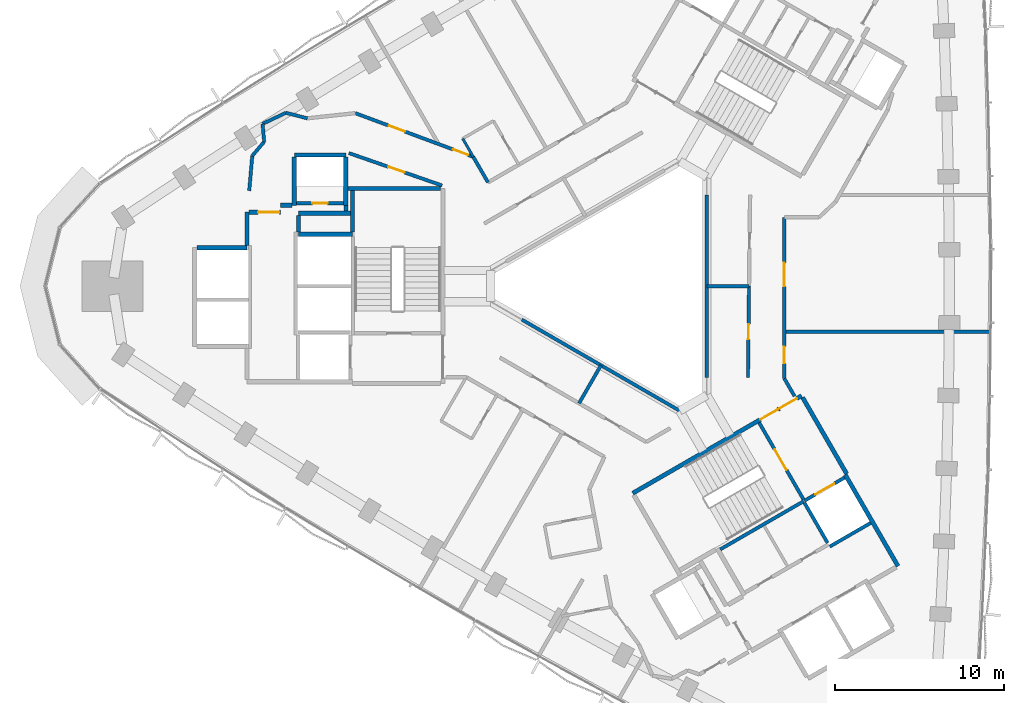
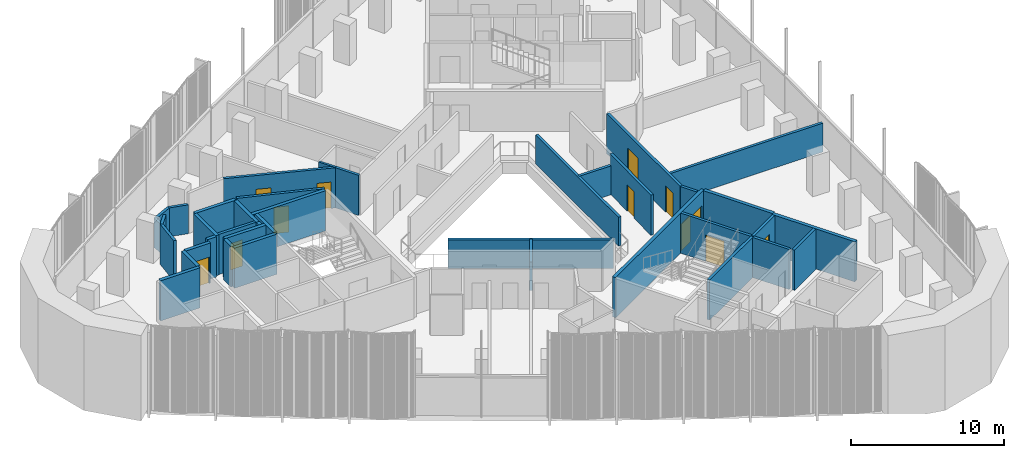
# One storey, part 9 of 14: 39 walls, 12 doors, 12 openings.
"""IFC4 building model written with IfcOpenShell, lengths in metres."""

from ifc_helpers import new_model, si_unit, direction, frame, frame_2d, origin, place, context, subcontext, project, spatial, rectangle, extrude, material, layer, layer_set, type_object, element, fill, save


model = new_model("IFC4")

# Units and contexts
model_context = context("Model", 3, precision=1e-05, world=origin(), true_north=direction((0.0, 1.0)))
body_context = subcontext(model_context, "Body", "Model", "MODEL_VIEW")
ifc_project = project(units=[si_unit("LENGTHUNIT", "METRE"), si_unit("AREAUNIT", "SQUARE_METRE"), si_unit("VOLUMEUNIT", "CUBIC_METRE"), si_unit("PLANEANGLEUNIT", "RADIAN"), si_unit("MASSUNIT", "GRAM", prefix="KILO")], contexts=[model_context])

# Site, building, storey
site_placement = place(None, origin())
site = spatial("IfcSite", under=ifc_project, at=site_placement, CompositionType="ELEMENT")
building_placement = place(site_placement, origin())
building = spatial("IfcBuilding", under=site, at=building_placement, Name="Tamra Quay Hotel Tower", CompositionType="ELEMENT")
storey_placement = place(building_placement, frame((0.0, 0.0, 139.60009765625)))
storey = spatial("IfcBuildingStorey", under=building, at=storey_placement, Name="L34", CompositionType="ELEMENT", Elevation=139.60009765625)

# Wall, opening, door
ifc_material_1 = material(Name="Concrete M70", Category="concrete")
ifc_layer_1 = layer(ifc_material_1, 0.199951171875)
ifc_layer_set_1 = layer_set([ifc_layer_1], Name="Concrete M70 core wall 200")
wall_type_1 = type_object("IfcWallType", Name="Concrete M70 core wall 200", PredefinedType="SHEAR", material=ifc_layer_set_1)
wall_1_placement = place(storey_placement, frame((-19.51123046875, 4.91015625, 0.0), z_axis=(0.0, 0.0, 1.0), x_axis=(1.0, 0.0, 0.0)))
wall_1 = element("IfcWall", 1, at=wall_1_placement, inside=storey, type_object=wall_type_1, Name="CW2", PredefinedType="SHEAR", context=body_context, shape_type="SweptSolid", body=[
    extrude(rectangle(XDim=2.7978515625, YDim=0.199951171875, at=frame_2d((1.39892578125, 0.0))), origin(), (0.0, 0.0, 1.0), 3.199951171875),
])
opening_1_placement = place(wall_1_placement, frame((0.948974609375, 0.0, 0.0)))
opening_1 = element("IfcOpeningElement", 2, at=opening_1_placement, cuts=wall_1, Name="Opening D1", PredefinedType="OPENING", context=body_context, shape_type="SweptSolid", body=[
    extrude(rectangle(XDim=0.89990234375, YDim=2.10009765625, at=frame_2d((0.449951171875, 1.050048828125))), frame((0.0, 0.10986328125, 0.0), z_axis=(0.0, -1.0, 0.0), x_axis=(1.0, 0.0, 0.0)), (0.0, 0.0, 1.0), 0.219970703125),
])
ifc_material_2 = material(Name="Core door D1 900x2100 LH")
door_type_1 = type_object("IfcDoorType", Name="Core door D1 900x2100 LH", OperationType="NOTDEFINED", PredefinedType="DOOR", material=ifc_material_2)
door_1_placement = place(opening_1_placement, origin())
door_1 = element("IfcDoor", 3, at=door_1_placement, inside=storey, type_object=door_type_1, Name="D1", OperationType="SINGLE_SWING_LEFT", OverallHeight=2.10009765625, OverallWidth=0.89990234375, PredefinedType="DOOR", context=body_context, shape_type="SweptSolid", body=[
    extrude(rectangle(XDim=0.89990234375, YDim=2.10009765625, at=frame_2d((0.449951171875, 1.050048828125))), frame((0.0, 0.02490234375, 0.0), z_axis=(0.0, -1.0, 0.0), x_axis=(1.0, 0.0, 0.0)), (0.0, 0.0, 1.0), 0.050048828125),
])
fill(opening_1, door_1)

# Wall
wall_2_placement = place(storey_placement, frame((10.537841796875, -12.751953125, 0.0), z_axis=(0.0, 0.0, 1.0), x_axis=(-0.866038630372, -0.499977090179, 0.0)))
element("IfcWall", 4, at=wall_2_placement, inside=storey, type_object=wall_type_1, Name="CW2", PredefinedType="SHEAR", context=body_context, shape_type="SweptSolid", body=[
    extrude(rectangle(XDim=5.698974609375, YDim=0.199951171875, at=frame_2d((2.849609375, 0.0))), origin(), (0.0, 0.0, 1.0), 3.199951171875),
])

# Wall, opening, door
wall_3_placement = place(storey_placement, frame((7.906494140625, -8.094482421875, 0.0), z_axis=(0.0, 0.0, 1.0), x_axis=(0.500024287448, -0.866011380966, 0.0)))
wall_3 = element("IfcWall", 5, at=wall_3_placement, inside=storey, type_object=wall_type_1, Name="CW2", PredefinedType="SHEAR", context=body_context, shape_type="SweptSolid", body=[
    extrude(rectangle(XDim=5.251220703125, YDim=0.199951171875, at=frame_2d((2.62548828125, 0.0))), origin(), (0.0, 0.0, 1.0), 3.199951171875),
])
opening_2_placement = place(wall_3_placement, frame((1.84912109375, 0.0, 0.0)))
opening_2 = element("IfcOpeningElement", 6, at=opening_2_placement, cuts=wall_3, Name="Opening FD2", PredefinedType="OPENING", context=body_context, shape_type="SweptSolid", body=[
    extrude(rectangle(XDim=1.39990234375, YDim=2.10009765625, at=frame_2d((0.699951171875, 1.050048828125))), frame((0.0, 0.10986328125, 0.0), z_axis=(0.0, -1.0, 0.0), x_axis=(1.0, 0.0, 0.0)), (0.0, 0.0, 1.0), 0.219970703125),
])
ifc_material_3 = material(Name="Core door FD2 1400x2100 LH")
door_type_2 = type_object("IfcDoorType", Name="Core door FD2 1400x2100 LH", OperationType="NOTDEFINED", PredefinedType="DOOR", material=ifc_material_3)
door_2_placement = place(opening_2_placement, origin())
door_2 = element("IfcDoor", 7, at=door_2_placement, inside=storey, type_object=door_type_2, Name="FD2", OperationType="SINGLE_SWING_LEFT", OverallHeight=2.10009765625, OverallWidth=1.39990234375, PredefinedType="DOOR", context=body_context, shape_type="SweptSolid", body=[
    extrude(rectangle(XDim=1.39990234375, YDim=2.10009765625, at=frame_2d((0.699951171875, 1.050048828125))), frame((0.0, 0.02490234375, 0.0), z_axis=(0.0, -1.0, 0.0), x_axis=(1.0, 0.0, 0.0)), (0.0, 0.0, 1.0), 0.050048828125),
])
fill(opening_2, door_2)

# Wall
wall_4_placement = place(storey_placement, frame((11.962646484375, -15.219970703125, 0.0), z_axis=(0.0, 0.0, 1.0), x_axis=(-0.500034990121, 0.866005201286, 0.0)))
element("IfcWall", 8, at=wall_4_placement, inside=storey, type_object=wall_type_1, Name="CW2", PredefinedType="SHEAR", context=body_context, shape_type="SweptSolid", body=[
    extrude(rectangle(XDim=2.749755859375, YDim=0.199951171875, at=frame_2d((1.375, 0.0))), origin(), (0.0, 0.0, 1.0), 3.199951171875),
])

# Wall, opening, door
wall_5_placement = place(storey_placement, frame((10.587158203125, -12.72314453125, 0.0), z_axis=(0.0, 0.0, 1.0), x_axis=(0.866037306777, 0.499979382845, 0.0)))
wall_5 = element("IfcWall", 9, at=wall_5_placement, inside=storey, type_object=wall_type_1, Name="CW2", PredefinedType="SHEAR", context=body_context, shape_type="SweptSolid", body=[
    extrude(rectangle(XDim=2.74169921875, YDim=0.199951171875, at=frame_2d((1.370849609375, 0.0))), origin(), (0.0, 0.0, 1.0), 3.199951171875),
])
opening_3_placement = place(wall_5_placement, frame((0.742919921875, 0.0, 0.0)))
opening_3 = element("IfcOpeningElement", 10, at=opening_3_placement, cuts=wall_5, Name="Opening LD", PredefinedType="OPENING", context=body_context, shape_type="SweptSolid", body=[
    extrude(rectangle(XDim=1.300048828125, YDim=2.10009765625, at=frame_2d((0.64990234375, 1.050048828125))), frame((0.0, 0.10986328125, 0.0), z_axis=(0.0, -1.0, 0.0), x_axis=(1.0, 0.0, 0.0)), (0.0, 0.0, 1.0), 0.219970703125),
])
ifc_material_4 = material(Name="Landing door LD 1300 sliding to left")
door_type_3 = type_object("IfcDoorType", Name="Landing door LD 1300 sliding to left", OperationType="NOTDEFINED", PredefinedType="DOOR", material=ifc_material_4)
door_3_placement = place(opening_3_placement, origin())
door_3 = element("IfcDoor", 11, at=door_3_placement, inside=storey, type_object=door_type_3, Name="LD", OperationType="SLIDING_TO_LEFT", OverallHeight=2.10009765625, OverallWidth=1.300048828125, PredefinedType="DOOR", context=body_context, shape_type="SweptSolid", body=[
    extrude(rectangle(XDim=1.300048828125, YDim=2.10009765625, at=frame_2d((0.64990234375, 1.050048828125))), frame((0.0, 0.02490234375, 0.0), z_axis=(0.0, -1.0, 0.0), x_axis=(1.0, 0.0, 0.0)), (0.0, 0.0, 1.0), 0.050048828125),
])
fill(opening_3, door_3)

# Walls
wall_6_placement = place(storey_placement, frame((14.51171875, -14.037109375, 0.0), z_axis=(0.0, 0.0, 1.0), x_axis=(-0.866044696403, -0.499966582715, 0.0)))
element("IfcWall", 12, at=wall_6_placement, inside=storey, type_object=wall_type_1, Name="CW2", PredefinedType="SHEAR", context=body_context, shape_type="SweptSolid", body=[
    extrude(rectangle(XDim=2.799072265625, YDim=0.199951171875, at=frame_2d((1.3994140625, 0.0))), origin(), (0.0, 0.0, 1.0), 3.199951171875),
])
ifc_layer_2 = layer(ifc_material_1, 0.25)
ifc_layer_set_2 = layer_set([ifc_layer_2], Name="Concrete M70 core wall 250")
wall_type_2 = type_object("IfcWallType", Name="Concrete M70 core wall 250", PredefinedType="SHEAR", material=ifc_layer_set_2)
wall_7_placement = place(storey_placement, frame((-16.47216796875, 5.77490234375, 0.0), z_axis=(0.0, 0.0, 1.0), x_axis=(1.0, 0.0, 0.0)))
element("IfcWall", 13, at=wall_7_placement, inside=storey, type_object=wall_type_2, Name="CW1", PredefinedType="SHEAR", context=body_context, shape_type="SweptSolid", body=[
    extrude(rectangle(XDim=5.509521484375, YDim=0.25, at=frame_2d((2.7548828125, 0.0))), origin(), (0.0, 0.0, 1.0), 3.199951171875),
])
wall_8_placement = place(storey_placement, frame((-19.38720703125, 3.074951171875, 0.0), z_axis=(0.0, 0.0, 1.0), x_axis=(1.0, 0.0, 0.0)))
element("IfcWall", 14, at=wall_8_placement, inside=storey, type_object=wall_type_2, Name="CW1", PredefinedType="SHEAR", context=body_context, shape_type="SweptSolid", body=[
    extrude(rectangle(XDim=3.199951171875, YDim=0.25, at=frame_2d((1.60009765625, 0.0))), origin(), (0.0, 0.0, 1.0), 3.199951171875),
])
wall_9_placement = place(storey_placement, frame((-25.411865234375, 2.27490234375, 0.0), z_axis=(0.0, 0.0, 1.0), x_axis=(1.0, 0.0, 0.0)))
element("IfcWall", 15, at=wall_9_placement, inside=storey, type_object=wall_type_2, Name="CW1", PredefinedType="SHEAR", context=body_context, shape_type="SweptSolid", body=[
    extrude(rectangle(XDim=2.974609375, YDim=0.25, at=frame_2d((1.4873046875, 0.0))), origin(), (0.0, 0.0, 1.0), 3.199951171875),
])
wall_10_placement = place(storey_placement, frame((-19.63720703125, 7.77490234375, 0.0), z_axis=(0.0, 0.0, 1.0), x_axis=(1.0, 0.0, 0.0)))
element("IfcWall", 16, at=wall_10_placement, inside=storey, type_object=wall_type_2, Name="CW1", PredefinedType="SHEAR", context=body_context, shape_type="SweptSolid", body=[
    extrude(rectangle(XDim=3.0498046875, YDim=0.25, at=frame_2d((1.52490234375, 0.0))), origin(), (0.0, 0.0, 1.0), 3.199951171875),
])
for number, where, z_axis, x_axis, name in (
    (17, (-16.58740234375, 7.649658203125, 0.0), (0.0, 0.0, 1.0), (0.0, -1.0, 0.0), "CW1"),
    (18, (-19.63720703125, 4.784912109375, 0.0), (0.0, 0.0, 1.0), (0.0, 1.0, 0.0), "CW1"),
):
    element("IfcWall", number, at=place(storey_placement, frame(where, z_axis=z_axis, x_axis=x_axis)), inside=storey, type_object=wall_type_2, Name=name, PredefinedType="SHEAR", context=body_context, shape_type="SweptSolid", body=[
        extrude(rectangle(XDim=2.86474609375, YDim=0.25, at=frame_2d((1.432373046875, 0.0))), origin(), (0.0, 0.0, 1.0), 3.199951171875),
    ])
wall_11_placement = place(storey_placement, frame((-16.30224609375, 4.31494140625, 0.0), z_axis=(0.0, 0.0, 1.0), x_axis=(-1.0, 0.0, 0.0)))
element("IfcWall", 19, at=wall_11_placement, inside=storey, type_object=wall_type_2, Name="CW1", PredefinedType="SHEAR", context=body_context, shape_type="SweptSolid", body=[
    extrude(rectangle(XDim=3.0849609375, YDim=0.25, at=frame_2d((1.54248046875, 0.0))), origin(), (0.0, 0.0, 1.0), 3.199951171875),
])
wall_12_placement = place(storey_placement, frame((-16.187255859375, 3.200439453125, 0.0), z_axis=(0.0, 0.0, 1.0), x_axis=(0.0, 1.0, 0.0)))
element("IfcWall", 20, at=wall_12_placement, inside=storey, type_object=wall_type_2, Name="CW1", PredefinedType="SHEAR", context=body_context, shape_type="SweptSolid", body=[
    extrude(rectangle(XDim=2.44921875, YDim=0.25, at=frame_2d((1.224609375, 0.0))), origin(), (0.0, 0.0, 1.0), 3.199951171875),
])
wall_13_placement = place(storey_placement, frame((-22.437255859375, 2.400390625, 0.0), z_axis=(0.0, 0.0, 1.0), x_axis=(0.0, 1.0, 0.0)))
element("IfcWall", 21, at=wall_13_placement, inside=storey, type_object=wall_type_2, Name="CW1", PredefinedType="SHEAR", context=body_context, shape_type="SweptSolid", body=[
    extrude(rectangle(XDim=1.974609375, YDim=0.25, at=frame_2d((0.9873046875, 0.0))), origin(), (0.0, 0.0, 1.0), 3.199951171875),
])

# Wall, opening, door
wall_14_placement = place(storey_placement, frame((-22.311767578125, 4.375, 0.0), z_axis=(0.0, 0.0, 1.0), x_axis=(1.0, 0.0, 0.0)))
wall_14 = element("IfcWall", 22, at=wall_14_placement, inside=storey, type_object=wall_type_2, Name="CW1", PredefinedType="SHEAR", context=body_context, shape_type="SweptSolid", body=[
    extrude(rectangle(XDim=1.864501953125, YDim=0.25, at=frame_2d((0.93212890625, 0.0))), origin(), (0.0, 0.0, 1.0), 3.199951171875),
])
opening_4_placement = place(wall_14_placement, frame((0.53466796875, 0.0, 0.0)))
opening_4 = element("IfcOpeningElement", 23, at=opening_4_placement, cuts=wall_14, Name="Opening FD3", PredefinedType="OPENING", context=body_context, shape_type="SweptSolid", body=[
    extrude(rectangle(XDim=1.25, YDim=2.10009765625, at=frame_2d((0.625, 1.050048828125))), frame((0.0, 0.135009765625, 0.0), z_axis=(0.0, -1.0, 0.0), x_axis=(1.0, 0.0, 0.0)), (0.0, 0.0, 1.0), 0.27001953125),
])
ifc_material_5 = material(Name="Core door FD3 1250x2100 LH")
door_type_4 = type_object("IfcDoorType", Name="Core door FD3 1250x2100 LH", OperationType="NOTDEFINED", PredefinedType="DOOR", material=ifc_material_5)
door_4_placement = place(opening_4_placement, origin())
door_4 = element("IfcDoor", 24, at=door_4_placement, inside=storey, type_object=door_type_4, Name="FD3", OperationType="SINGLE_SWING_LEFT", OverallHeight=2.10009765625, OverallWidth=1.25, PredefinedType="DOOR", context=body_context, shape_type="SweptSolid", body=[
    extrude(rectangle(XDim=1.25, YDim=2.10009765625, at=frame_2d((0.625, 1.050048828125))), frame((0.0, 0.02490234375, 0.0), z_axis=(0.0, -1.0, 0.0), x_axis=(1.0, 0.0, 0.0)), (0.0, 0.0, 1.0), 0.050048828125),
])
fill(opening_4, door_4)

# Walls
wall_15_placement = place(storey_placement, frame((-19.38720703125, 4.189697265625, 0.0), z_axis=(0.0, 0.0, 1.0), x_axis=(0.0, -1.0, 0.0)))
element("IfcWall", 25, at=wall_15_placement, inside=storey, type_object=wall_type_2, Name="CW1", PredefinedType="SHEAR", context=body_context, shape_type="SweptSolid", body=[
    extrude(rectangle(XDim=0.9892578125, YDim=0.25, at=frame_2d((0.49462890625, 0.0))), origin(), (0.0, 0.0, 1.0), 3.199951171875),
])
wall_16_placement = place(storey_placement, frame((-20.447265625, 4.784912109375, 0.0), z_axis=(0.0, 0.0, 1.0), x_axis=(1.0, 0.0, 0.0)))
element("IfcWall", 26, at=wall_16_placement, inside=storey, type_object=wall_type_2, Name="CW1", PredefinedType="SHEAR", context=body_context, shape_type="SweptSolid", body=[
    extrude(rectangle(XDim=0.6845703125, YDim=0.25, at=frame_2d((0.34228515625, 0.0))), origin(), (0.0, 0.0, 1.0), 3.199951171875),
])
wall_17_placement = place(storey_placement, frame((-16.577392578125, 4.784912109375, 0.0), z_axis=(0.0, 0.0, 1.0), x_axis=(0.0, -1.0, 0.0)))
element("IfcWall", 27, at=wall_17_placement, inside=storey, type_object=wall_type_2, Name="CW1", PredefinedType="SHEAR", context=body_context, shape_type="SweptSolid", body=[
    extrude(rectangle(XDim=0.344482421875, YDim=0.25, at=frame_2d((0.17236328125, 0.0))), origin(), (0.0, 0.0, 1.0), 3.199951171875),
])

# Wall, openings, doors
wall_18_placement = place(storey_placement, frame((0.417236328125, -12.27294921875, 0.0), z_axis=(0.0, 0.0, 1.0), x_axis=(0.866021906294, 0.500006057782, 0.0)))
wall_18 = element("IfcWall", 28, at=wall_18_placement, inside=storey, type_object=wall_type_2, Name="CW1", PredefinedType="SHEAR", context=body_context, shape_type="SweptSolid", body=[
    extrude(rectangle(XDim=11.550048828125, YDim=0.25, at=frame_2d((5.77490234375, 0.0))), origin(), (0.0, 0.0, 1.0), 3.199951171875),
])
opening_5_placement = place(wall_18_placement, frame((10.024658203125, 0.0, 0.0)))
opening_5 = element("IfcOpeningElement", 29, at=opening_5_placement, cuts=wall_18, Name="Opening FD1", PredefinedType="OPENING", context=body_context, shape_type="SweptSolid", body=[
    extrude(rectangle(XDim=1.199951171875, YDim=2.10009765625, at=frame_2d((0.60009765625, 1.050048828125))), frame((0.0, 0.135009765625, 0.0), z_axis=(0.0, -1.0, 0.0), x_axis=(1.0, 0.0, 0.0)), (0.0, 0.0, 1.0), 0.27001953125),
])
opening_6_placement = place(wall_18_placement, frame((8.724609375, 0.0, 0.0)))
opening_6 = element("IfcOpeningElement", 30, at=opening_6_placement, cuts=wall_18, Name="Opening FD1", PredefinedType="OPENING", context=body_context, shape_type="SweptSolid", body=[
    extrude(rectangle(XDim=1.199951171875, YDim=2.10009765625, at=frame_2d((0.60009765625, 1.050048828125))), frame((0.0, 0.135009765625, 0.0), z_axis=(0.0, -1.0, 0.0), x_axis=(1.0, 0.0, 0.0)), (0.0, 0.0, 1.0), 0.27001953125),
])
ifc_material_6 = material(Name="Core door FD1 1200x2100 LH")
door_type_5 = type_object("IfcDoorType", Name="Core door FD1 1200x2100 LH", OperationType="NOTDEFINED", PredefinedType="DOOR", material=ifc_material_6)
door_5_placement = place(opening_5_placement, origin())
door_5 = element("IfcDoor", 31, at=door_5_placement, inside=storey, type_object=door_type_5, Name="FD1", OperationType="SINGLE_SWING_LEFT", OverallHeight=2.10009765625, OverallWidth=1.199951171875, PredefinedType="DOOR", context=body_context, shape_type="SweptSolid", body=[
    extrude(rectangle(XDim=1.199951171875, YDim=2.10009765625, at=frame_2d((0.60009765625, 1.050048828125))), frame((0.0, 0.02490234375, 0.0), z_axis=(0.0, -1.0, 0.0), x_axis=(1.0, 0.0, 0.0)), (0.0, 0.0, 1.0), 0.050048828125),
])
fill(opening_5, door_5)
ifc_material_7 = material(Name="Core door FD1 1200x2100 RH")
door_type_6 = type_object("IfcDoorType", Name="Core door FD1 1200x2100 RH", OperationType="NOTDEFINED", PredefinedType="DOOR", material=ifc_material_7)
door_6_placement = place(opening_6_placement, origin())
door_6 = element("IfcDoor", 32, at=door_6_placement, inside=storey, type_object=door_type_6, Name="FD1", OperationType="SINGLE_SWING_RIGHT", OverallHeight=2.10009765625, OverallWidth=1.199951171875, PredefinedType="DOOR", context=body_context, shape_type="SweptSolid", body=[
    extrude(rectangle(XDim=1.199951171875, YDim=2.10009765625, at=frame_2d((0.60009765625, 1.050048828125))), frame((0.0, 0.02490234375, 0.0), z_axis=(0.0, -1.0, 0.0), x_axis=(1.0, 0.0, 0.0)), (0.0, 0.0, 1.0), 0.050048828125),
])
fill(opening_6, door_6)

# Walls
wall_19_placement = place(storey_placement, frame((13.00830078125, -11.18115234375, 0.0), z_axis=(0.0, 0.0, 1.0), x_axis=(0.500004234368, -0.866022959057, 0.0)))
element("IfcWall", 33, at=wall_19_placement, inside=storey, type_object=wall_type_2, Name="CW1", PredefinedType="SHEAR", context=body_context, shape_type="SweptSolid", body=[
    extrude(rectangle(XDim=6.25, YDim=0.25, at=frame_2d((3.125, 0.0))), origin(), (0.0, 0.0, 1.0), 3.199951171875),
])
wall_20_placement = place(storey_placement, frame((10.482666015625, -6.6064453125, 0.0), z_axis=(0.0, 0.0, 1.0), x_axis=(0.49999885962, -0.866026062182, 0.0)))
element("IfcWall", 34, at=wall_20_placement, inside=storey, type_object=wall_type_2, Name="CW1", PredefinedType="SHEAR", context=body_context, shape_type="SweptSolid", body=[
    extrude(rectangle(XDim=5.224609375, YDim=0.25, at=frame_2d((2.6123046875, 0.0))), origin(), (0.0, 0.0, 1.0), 3.199951171875),
])
ifc_material_8 = material(Name="Partition corridor wall")
ifc_layer_3 = layer(ifc_material_8, 0.199951171875)
ifc_layer_set_3 = layer_set([ifc_layer_3], Name="Partition corridor wall")
wall_type_3 = type_object("IfcWallType", Name="Partition corridor wall", PredefinedType="PARTITIONING", material=ifc_layer_set_3)
wall_21_placement = place(storey_placement, frame((-22.131103515625, 7.719970703125, 0.0), z_axis=(0.0, 0.0, 1.0), x_axis=(-0.086827346826, -0.996223374471, 0.0)))
element("IfcWall", 35, at=wall_21_placement, inside=storey, type_object=wall_type_3, Name="W-C", PredefinedType="PARTITIONING", context=body_context, shape_type="SweptSolid", body=[
    extrude(rectangle(XDim=2.077880859375, YDim=0.199951171875, at=frame_2d((1.0390625, 0.0))), origin(), (0.0, 0.0, 1.0), 3.199951171875),
])
wall_22_placement = place(storey_placement, frame((-22.1298828125, 7.720947265625, 0.0), z_axis=(0.0, 0.0, 1.0), x_axis=(0.646815590698, 0.762646439466, 0.0)))
element("IfcWall", 36, at=wall_22_placement, inside=storey, type_object=wall_type_3, Name="W-C", PredefinedType="PARTITIONING", context=body_context, shape_type="SweptSolid", body=[
    extrude(rectangle(XDim=1.089599609375, YDim=0.199951171875, at=frame_2d((0.544921875, 0.0))), origin(), (0.0, 0.0, 1.0), 3.199951171875),
])
wall_23_placement = place(storey_placement, frame((-21.52099609375, 9.614013671875, 0.0), z_axis=(0.0, 0.0, 1.0), x_axis=(0.089978363699, -0.995943720331, 0.0)))
element("IfcWall", 37, at=wall_23_placement, inside=storey, type_object=wall_type_3, Name="W-C", PredefinedType="PARTITIONING", context=body_context, shape_type="SweptSolid", body=[
    extrude(rectangle(XDim=1.06640625, YDim=0.199951171875, at=frame_2d((0.533203125, 0.0))), origin(), (0.0, 0.0, 1.0), 2.2998046875),
])
wall_24_placement = place(storey_placement, frame((-21.52099609375, 9.614013671875, 0.0), z_axis=(0.0, 0.0, 1.0), x_axis=(0.904083527367, 0.427355795028, 0.0)))
element("IfcWall", 38, at=wall_24_placement, inside=storey, type_object=wall_type_3, Name="W-C", PredefinedType="PARTITIONING", context=body_context, shape_type="SweptSolid", body=[
    extrude(rectangle(XDim=1.52294921875, YDim=0.199951171875, at=frame_2d((0.761474609375, 0.0))), origin(), (0.0, 0.0, 1.0), 2.2998046875),
])
wall_25_placement = place(storey_placement, frame((-20.14306640625, 10.26611328125, 0.0), z_axis=(0.0, 0.0, 1.0), x_axis=(0.969121308325, -0.246584447505, 0.0)))
element("IfcWall", 39, at=wall_25_placement, inside=storey, type_object=wall_type_3, Name="W-C", PredefinedType="PARTITIONING", context=body_context, shape_type="SweptSolid", body=[
    extrude(rectangle(XDim=1.31884765625, YDim=0.199951171875, at=frame_2d((0.659423828125, 0.0))), origin(), (0.0, 0.0, 1.0), 2.2998046875),
])

# Wall, opening, door
wall_26_placement = place(storey_placement, frame((-16.40234375, 7.879150390625, 0.0), z_axis=(0.0, 0.0, 1.0), x_axis=(0.94449961557, -0.328512520596, 0.0)))
wall_26 = element("IfcWall", 40, at=wall_26_placement, inside=storey, type_object=wall_type_3, Name="W-C", PredefinedType="PARTITIONING", context=body_context, shape_type="SweptSolid", body=[
    extrude(rectangle(XDim=5.842041015625, YDim=0.199951171875, at=frame_2d((2.9208984375, 0.0))), origin(), (0.0, 0.0, 1.0), 3.199951171875),
])
opening_7_placement = place(wall_26_placement, frame((2.480712890625, 0.0, 0.0)))
opening_7 = element("IfcOpeningElement", 41, at=opening_7_placement, cuts=wall_26, Name="Opening L34-D008", PredefinedType="OPENING", context=body_context, shape_type="SweptSolid", body=[
    extrude(rectangle(XDim=1.0, YDim=2.10009765625, at=frame_2d((0.5, 1.050048828125))), frame((0.0, 0.10986328125, 0.0), z_axis=(0.0, -1.0, 0.0), x_axis=(1.0, 0.0, 0.0)), (0.0, 0.0, 1.0), 0.219970703125),
])
ifc_material_9 = material(Name="Door guest room 1000x2100")
door_type_7 = type_object("IfcDoorType", Name="Door guest room 1000x2100", OperationType="NOTDEFINED", PredefinedType="DOOR", material=ifc_material_9)
door_7_placement = place(opening_7_placement, frame((1.0, 0.0, 0.0), z_axis=(0.0, 0.0, 1.0), x_axis=(-1.0, 0.0, 0.0)))
door_7 = element("IfcDoor", 42, at=door_7_placement, inside=storey, type_object=door_type_7, Name="L34-D008", OperationType="SINGLE_SWING_LEFT", OverallHeight=2.10009765625, OverallWidth=1.0, PredefinedType="DOOR", context=body_context, shape_type="SweptSolid", body=[
    extrude(rectangle(XDim=1.0, YDim=2.10009765625, at=frame_2d((0.5, 1.050048828125))), frame((0.0, 0.02490234375, 0.0), z_axis=(0.0, -1.0, 0.0), x_axis=(1.0, 0.0, 0.0)), (0.0, 0.0, 1.0), 0.050048828125),
])
fill(opening_7, door_7)

# Wall, openings, doors
wall_27_placement = place(storey_placement, frame((-16.0263671875, 10.2451171875, 0.0), z_axis=(0.0, 0.0, 1.0), x_axis=(0.937607706988, -0.347694963721, 0.0)))
wall_27 = element("IfcWall", 43, at=wall_27_placement, inside=storey, type_object=wall_type_3, Name="W-C", PredefinedType="PARTITIONING", context=body_context, shape_type="SweptSolid", body=[
    extrude(rectangle(XDim=7.457763671875, YDim=0.199951171875, at=frame_2d((3.72900390625, 0.0))), origin(), (0.0, 0.0, 1.0), 3.199951171875),
])
opening_8_placement = place(wall_27_placement, frame((6.178955078125, 0.0, 0.0)))
opening_8 = element("IfcOpeningElement", 44, at=opening_8_placement, cuts=wall_27, Name="Opening L34-D006", PredefinedType="OPENING", context=body_context, shape_type="SweptSolid", body=[
    extrude(rectangle(XDim=0.949951171875, YDim=2.10009765625, at=frame_2d((0.47509765625, 1.050048828125))), frame((0.0, 0.10986328125, 0.0), z_axis=(0.0, -1.0, 0.0), x_axis=(1.0, 0.0, 0.0)), (0.0, 0.0, 1.0), 0.219970703125),
])
opening_9_placement = place(wall_27_placement, frame((2.139404296875, 0.0, 0.0)))
opening_9 = element("IfcOpeningElement", 45, at=opening_9_placement, cuts=wall_27, Name="Opening L34-D009", PredefinedType="OPENING", context=body_context, shape_type="SweptSolid", body=[
    extrude(rectangle(XDim=1.0, YDim=2.10009765625, at=frame_2d((0.5, 1.050048828125))), frame((0.0, 0.10986328125, 0.0), z_axis=(0.0, -1.0, 0.0), x_axis=(1.0, 0.0, 0.0)), (0.0, 0.0, 1.0), 0.219970703125),
])
door_8_placement = place(opening_9_placement, frame((1.0, 0.0, 0.0), z_axis=(0.0, 0.0, 1.0), x_axis=(-1.0, 0.0, 0.0)))
door_8 = element("IfcDoor", 46, at=door_8_placement, inside=storey, type_object=door_type_7, Name="L34-D009", OperationType="SINGLE_SWING_LEFT", OverallHeight=2.10009765625, OverallWidth=1.0, PredefinedType="DOOR", context=body_context, shape_type="SweptSolid", body=[
    extrude(rectangle(XDim=1.0, YDim=2.10009765625, at=frame_2d((0.5, 1.050048828125))), frame((0.0, 0.02490234375, 0.0), z_axis=(0.0, -1.0, 0.0), x_axis=(1.0, 0.0, 0.0)), (0.0, 0.0, 1.0), 0.050048828125),
])
fill(opening_9, door_8)
ifc_material_10 = material(Name="Door guest room 950x2100")
door_type_8 = type_object("IfcDoorType", Name="Door guest room 950x2100", OperationType="NOTDEFINED", PredefinedType="DOOR", material=ifc_material_10)
door_9_placement = place(opening_8_placement, origin())
door_9 = element("IfcDoor", 47, at=door_9_placement, inside=storey, type_object=door_type_8, Name="L34-D006", OperationType="SINGLE_SWING_LEFT", OverallHeight=2.10009765625, OverallWidth=0.949951171875, PredefinedType="DOOR", context=body_context, shape_type="SweptSolid", body=[
    extrude(rectangle(XDim=0.949951171875, YDim=2.10009765625, at=frame_2d((0.47509765625, 1.050048828125))), frame((0.0, 0.02490234375, 0.0), z_axis=(0.0, -1.0, 0.0), x_axis=(1.0, 0.0, 0.0)), (0.0, 0.0, 1.0), 0.050048828125),
])
fill(opening_8, door_9)

# Wall
wall_28_placement = place(storey_placement, frame((-9.032958984375, 7.65087890625, 0.0), z_axis=(0.0, 0.0, 1.0), x_axis=(0.500417633986, -0.865784148386, 0.0)))
element("IfcWall", 48, at=wall_28_placement, inside=storey, type_object=wall_type_3, Name="W-C", PredefinedType="PARTITIONING", context=body_context, shape_type="SweptSolid", body=[
    extrude(rectangle(XDim=1.74267578125, YDim=0.199951171875, at=frame_2d((0.871337890625, 0.0))), origin(), (0.0, 0.0, 1.0), 3.199951171875),
])

# Wall, opening, door
wall_29_placement = place(storey_placement, frame((7.241943359375, -5.4169921875, 0.0), z_axis=(0.0, 0.0, 1.0), x_axis=(0.01179195138, 0.999930472524, 0.0)))
wall_29 = element("IfcWall", 49, at=wall_29_placement, inside=storey, type_object=wall_type_3, Name="W-C", PredefinedType="PARTITIONING", context=body_context, shape_type="SweptSolid", body=[
    extrude(rectangle(XDim=5.424560546875, YDim=0.199951171875, at=frame_2d((2.71240234375, 0.0))), origin(), (0.0, 0.0, 1.0), 3.199951171875),
])
opening_10_placement = place(wall_29_placement, frame((2.26220703125, 0.0, 0.0)))
opening_10 = element("IfcOpeningElement", 50, at=opening_10_placement, cuts=wall_29, Name="Opening L34-D018", PredefinedType="OPENING", context=body_context, shape_type="SweptSolid", body=[
    extrude(rectangle(XDim=0.89990234375, YDim=2.10009765625, at=frame_2d((0.449951171875, 1.050048828125))), frame((0.0, 0.10986328125, 0.0), z_axis=(0.0, -1.0, 0.0), x_axis=(1.0, 0.0, 0.0)), (0.0, 0.0, 1.0), 0.219970703125),
])
ifc_material_11 = material(Name="Door service room 900x2100")
door_type_9 = type_object("IfcDoorType", Name="Door service room 900x2100", OperationType="NOTDEFINED", PredefinedType="DOOR", material=ifc_material_11)
door_10_placement = place(opening_10_placement, origin())
door_10 = element("IfcDoor", 51, at=door_10_placement, inside=storey, type_object=door_type_9, Name="L34-D018", OperationType="SINGLE_SWING_LEFT", OverallHeight=2.10009765625, OverallWidth=0.89990234375, PredefinedType="DOOR", context=body_context, shape_type="SweptSolid", body=[
    extrude(rectangle(XDim=0.89990234375, YDim=2.10009765625, at=frame_2d((0.449951171875, 1.050048828125))), frame((0.0, 0.02490234375, 0.0), z_axis=(0.0, -1.0, 0.0), x_axis=(1.0, 0.0, 0.0)), (0.0, 0.0, 1.0), 0.050048828125),
])
fill(opening_10, door_10)

# Wall, openings, doors
wall_30_placement = place(storey_placement, frame((9.39990234375, -5.48193359375, 0.0), z_axis=(0.0, 0.0, 1.0), x_axis=(0.0, 1.0, 0.0)))
wall_30 = element("IfcWall", 52, at=wall_30_placement, inside=storey, type_object=wall_type_3, Name="W-C", PredefinedType="PARTITIONING", context=body_context, shape_type="SweptSolid", body=[
    extrude(rectangle(XDim=9.559814453125, YDim=0.199951171875, at=frame_2d((4.77978515625, 0.0))), origin(), (0.0, 0.0, 1.0), 3.199951171875),
])
opening_11_placement = place(wall_30_placement, frame((0.89453125, 0.0, 0.0)))
opening_11 = element("IfcOpeningElement", 53, at=opening_11_placement, cuts=wall_30, Name="Opening L34-D001", PredefinedType="OPENING", context=body_context, shape_type="SweptSolid", body=[
    extrude(rectangle(XDim=1.0, YDim=2.10009765625, at=frame_2d((0.5, 1.050048828125))), frame((0.0, 0.10986328125, 0.0), z_axis=(0.0, -1.0, 0.0), x_axis=(1.0, 0.0, 0.0)), (0.0, 0.0, 1.0), 0.219970703125),
])
opening_12_placement = place(wall_30_placement, frame((5.46240234375, 0.0, 0.0)))
opening_12 = element("IfcOpeningElement", 54, at=opening_12_placement, cuts=wall_30, Name="Opening L34-D002", PredefinedType="OPENING", context=body_context, shape_type="SweptSolid", body=[
    extrude(rectangle(XDim=1.39990234375, YDim=2.10009765625, at=frame_2d((0.699951171875, 1.050048828125))), frame((0.0, 0.10986328125, 0.0), z_axis=(0.0, -1.0, 0.0), x_axis=(1.0, 0.0, 0.0)), (0.0, 0.0, 1.0), 0.219970703125),
])
ifc_material_12 = material(Name="Door double leaf 1400x2100")
door_type_10 = type_object("IfcDoorType", Name="Door double leaf 1400x2100", OperationType="DOUBLE_DOOR_SINGLE_SWING", PredefinedType="DOOR", material=ifc_material_12)
door_11_placement = place(opening_12_placement, frame((1.39990234375, 0.0, 0.0), z_axis=(0.0, 0.0, 1.0), x_axis=(-1.0, 0.0, 0.0)))
door_11 = element("IfcDoor", 55, at=door_11_placement, inside=storey, type_object=door_type_10, Name="L34-D002", OperationType="DOUBLE_DOOR_SINGLE_SWING", OverallHeight=2.10009765625, OverallWidth=1.39990234375, PredefinedType="DOOR", context=body_context, shape_type="SweptSolid", body=[
    extrude(rectangle(XDim=1.39990234375, YDim=2.10009765625, at=frame_2d((0.699951171875, 1.050048828125))), frame((0.0, 0.02490234375, 0.0), z_axis=(0.0, -1.0, 0.0), x_axis=(1.0, 0.0, 0.0)), (0.0, 0.0, 1.0), 0.050048828125),
])
fill(opening_12, door_11)
door_12_placement = place(opening_11_placement, frame((1.0, 0.0, 0.0), z_axis=(0.0, 0.0, 1.0), x_axis=(-1.0, 0.0, 0.0)))
door_12 = element("IfcDoor", 56, at=door_12_placement, inside=storey, type_object=door_type_7, Name="L34-D001", OperationType="SINGLE_SWING_LEFT", OverallHeight=2.10009765625, OverallWidth=1.0, PredefinedType="DOOR", context=body_context, shape_type="SweptSolid", body=[
    extrude(rectangle(XDim=1.0, YDim=2.10009765625, at=frame_2d((0.5, 1.050048828125))), frame((0.0, 0.02490234375, 0.0), z_axis=(0.0, -1.0, 0.0), x_axis=(1.0, 0.0, 0.0)), (0.0, 0.0, 1.0), 0.050048828125),
])
fill(opening_11, door_12)

# Walls
wall_31_placement = place(storey_placement, frame((9.39990234375, -5.48193359375, 0.0), z_axis=(0.0, 0.0, 1.0), x_axis=(0.499909562097, -0.866077611837, 0.0)))
element("IfcWall", 57, at=wall_31_placement, inside=storey, type_object=wall_type_3, Name="W-C", PredefinedType="PARTITIONING", context=body_context, shape_type="SweptSolid", body=[
    extrude(rectangle(XDim=1.204833984375, YDim=0.199951171875, at=frame_2d((0.6025390625, 0.0))), origin(), (0.0, 0.0, 1.0), 3.199951171875),
])
ifc_material_13 = material(Name="Partition en-suite wall")
ifc_layer_4 = layer(ifc_material_13, 0.14990234375)
ifc_layer_set_4 = layer_set([ifc_layer_4], Name="Partition en-suite wall")
wall_type_4 = type_object("IfcWallType", Name="Partition en-suite wall", PredefinedType="PARTITIONING", material=ifc_layer_set_4)
wall_32_placement = place(storey_placement, frame((-9.660888671875, 8.739990234375, 0.0), z_axis=(0.0, 0.0, 1.0), x_axis=(0.49990192124, -0.866082022179, 0.0)))
element("IfcWall", 58, at=wall_32_placement, inside=storey, type_object=wall_type_4, Name="W-E", PredefinedType="PARTITIONING", context=body_context, shape_type="SweptSolid", body=[
    extrude(rectangle(XDim=1.256103515625, YDim=0.14990234375, at=frame_2d((0.6279296875, 0.0))), origin(), (0.0, 0.0, 1.0), 3.199951171875),
])
ifc_material_14 = material(Name="Partition party wall")
ifc_layer_5 = layer(ifc_material_14, 0.199951171875)
ifc_layer_set_5 = layer_set([ifc_layer_5], Name="Partition party wall")
wall_type_5 = type_object("IfcWallType", Name="Partition party wall", PredefinedType="PARTITIONING", material=ifc_layer_set_5)
wall_33_placement = place(storey_placement, frame((-6.155029296875, -1.989013671875, 0.0), z_axis=(0.0, 0.0, 1.0), x_axis=(0.866009062299, -0.500028303215, 0.0)))
element("IfcWall", 59, at=wall_33_placement, inside=storey, type_object=wall_type_5, Name="W-P", PredefinedType="PARTITIONING", context=body_context, shape_type="SweptSolid", body=[
    extrude(rectangle(XDim=10.802001953125, YDim=0.199951171875, at=frame_2d((5.40087890625, 0.0))), origin(), (0.0, 0.0, 1.0), 2.2998046875),
])
wall_34_placement = place(storey_placement, frame((-2.76806640625, -6.946044921875, 0.0), z_axis=(0.0, 0.0, 1.0), x_axis=(0.500017832597, 0.866015107885, 0.0)))
element("IfcWall", 60, at=wall_34_placement, inside=storey, type_object=wall_type_5, Name="W-P", PredefinedType="PARTITIONING", context=body_context, shape_type="SweptSolid", body=[
    extrude(rectangle(XDim=2.599609375, YDim=0.199951171875, at=frame_2d((1.2998046875, 0.0))), origin(), (0.0, 0.0, 1.0), 2.2998046875),
])
wall_35_placement = place(storey_placement, frame((4.800048828125, -5.4169921875, 0.0), z_axis=(0.0, 0.0, 1.0), x_axis=(0.0, 1.0, 0.0)))
element("IfcWall", 61, at=wall_35_placement, inside=storey, type_object=wall_type_5, Name="W-P", PredefinedType="PARTITIONING", context=body_context, shape_type="SweptSolid", body=[
    extrude(rectangle(XDim=10.823974609375, YDim=0.199951171875, at=frame_2d((5.412109375, 0.0))), origin(), (0.0, 0.0, 1.0), 2.2998046875),
])
wall_36_placement = place(storey_placement, frame((4.800048828125, -0.0048828125, 0.0), z_axis=(0.0, 0.0, 1.0), x_axis=(1.0, 0.0, 0.0)))
element("IfcWall", 62, at=wall_36_placement, inside=storey, type_object=wall_type_5, Name="W-P", PredefinedType="PARTITIONING", context=body_context, shape_type="SweptSolid", body=[
    extrude(rectangle(XDim=2.5048828125, YDim=0.199951171875, at=frame_2d((1.25244140625, 0.0))), origin(), (0.0, 0.0, 1.0), 2.2998046875),
])
wall_37_placement = place(storey_placement, frame((9.40087890625, -2.705078125, 0.0), z_axis=(0.0, 0.0, 1.0), x_axis=(1.0, 0.0, 0.0)))
element("IfcWall", 63, at=wall_37_placement, inside=storey, type_object=wall_type_5, Name="W-P", PredefinedType="PARTITIONING", context=body_context, shape_type="SweptSolid", body=[
    extrude(rectangle(XDim=12.21923828125, YDim=0.199951171875, at=frame_2d((6.109619140625, 0.0))), origin(), (0.0, 0.0, 1.0), 2.2998046875),
])

save(model, "model.ifc")
